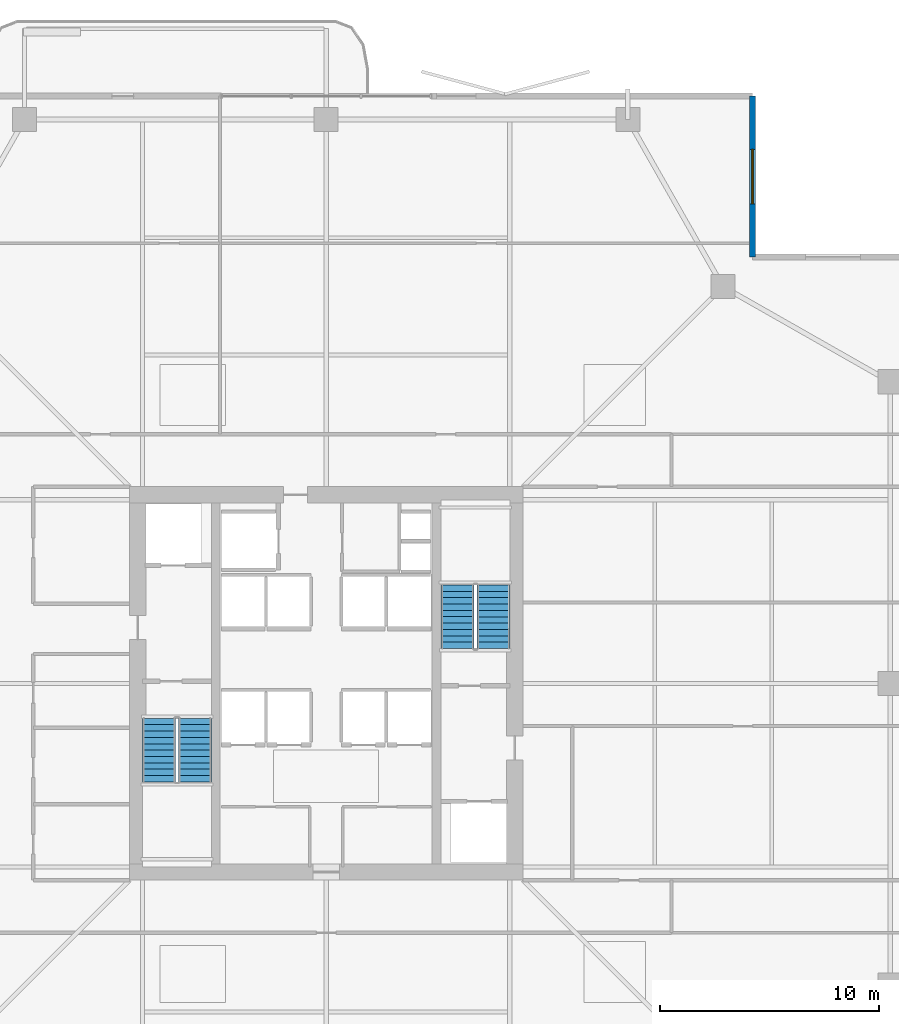
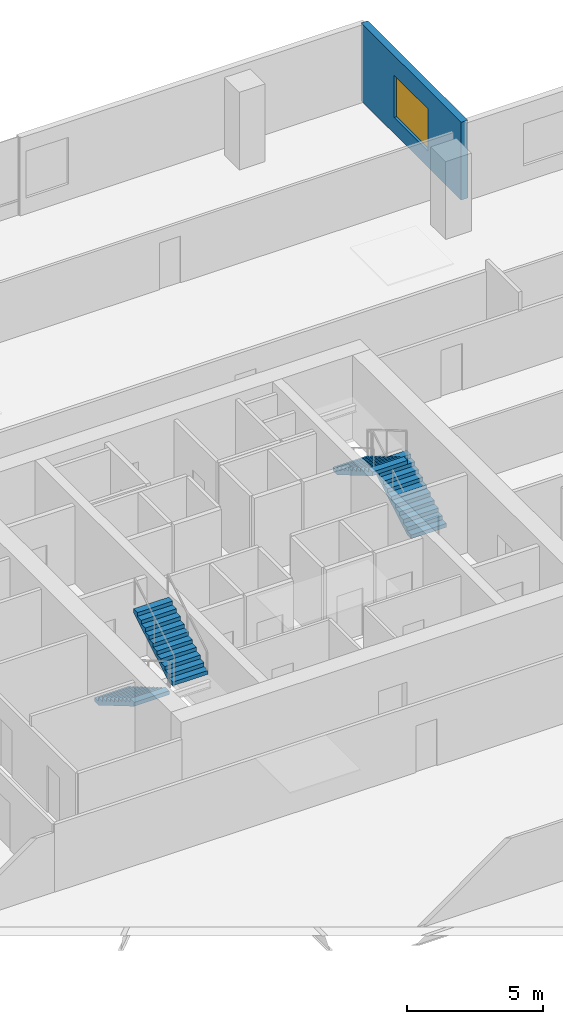
# One storey, part 20 of 24: 4 stair flights, 1 wall, 1 window, 1 opening, 2 elements without a shape of their own.
"""IFC4 building model written with IfcOpenShell, lengths in metres."""

from ifc_helpers import new_model, si_unit, direction, frame, frame_2d, origin, place, context, subcontext, project, spatial, polyline, rectangle, outline, extrude, material, layer, layer_set, type_object, element, fill, aggregate, save


model = new_model("IFC4")

# Units and contexts
model_context = context("Model", 3, precision=1e-05, world=origin(), true_north=direction((0.0, 1.0)))
body_context = subcontext(model_context, "Body", "Model", "MODEL_VIEW")
ifc_project = project(units=[si_unit("LENGTHUNIT", "METRE"), si_unit("AREAUNIT", "SQUARE_METRE"), si_unit("VOLUMEUNIT", "CUBIC_METRE"), si_unit("PLANEANGLEUNIT", "RADIAN"), si_unit("MASSUNIT", "GRAM", prefix="KILO")], contexts=[model_context])

# Site, building, storey
site_placement = place(None, origin())
site = spatial("IfcSite", under=ifc_project, at=site_placement, CompositionType="ELEMENT")
building_placement = place(site_placement, origin())
building = spatial("IfcBuilding", under=site, at=building_placement, Name="Belovzor Exchange Tower", CompositionType="ELEMENT")
storey_placement = place(building_placement, frame((0.0, 0.0, 237.449951171875)))
storey = spatial("IfcBuildingStorey", under=building, at=storey_placement, Name="L59", CompositionType="ELEMENT", Elevation=237.449951171875)

# Wall, opening, window
ifc_material_1 = material(Name="Precast concrete C40/50", Category="concrete")
ifc_layer = layer(ifc_material_1, 0.280029296875)
ifc_layer_set = layer_set([ifc_layer], Name="Precast concrete C40/50")
wall_type = type_object("IfcWallType", Name="Precast Concrete Notched Corner Frame Wall 280", PredefinedType="SOLIDWALL", material=ifc_layer_set)
wall_placement = place(storey_placement, frame((48.300048828125, 55.669921875, 0.0), z_axis=(0.0, 0.0, 1.0), x_axis=(0.0, -1.0, 0.0)))
wall = element("IfcWall", 1, at=wall_placement, inside=storey, type_object=wall_type, Name="W-CRN280 Precast Concrete Notched Corner Frame Wall 280 L59", PredefinedType="SOLIDWALL", context=body_context, shape_type="SweptSolid", body=[
    extrude(rectangle(XDim=7.369873046875, YDim=0.280029296875, at=frame_2d((3.68505859375, 0.0))), origin(), (0.0, 0.0, 1.0), 3.5),
])
opening_placement = place(wall_placement, frame((2.43505859375, 0.0, 0.719970703125)))
opening = element("IfcOpeningElement", 2, at=opening_placement, cuts=wall, Name="Opening WN-CRN250", PredefinedType="OPENING", context=body_context, shape_type="SweptSolid", body=[
    extrude(rectangle(XDim=2.5, YDim=1.89990234375, at=frame_2d((1.25, 0.949951171875))), frame((0.0, 0.14990234375, 0.0), z_axis=(0.0, -1.0, 0.0), x_axis=(1.0, 0.0, 0.0)), (0.0, 0.0, 1.0), 0.300048828125),
])
ifc_material_2 = material(Name="Thermally Broken Aluminium and Triple Glazing", Category="aluminium")
window_type = type_object("IfcWindowType", Name="Streamline Moderne Corner Wrap Ribbon Window 2500x1900", PartitioningType="SINGLE_PANEL", PredefinedType="WINDOW", material=ifc_material_2)
window_placement = place(opening_placement, origin())
window = element("IfcWindow", 3, at=window_placement, inside=storey, type_object=window_type, Name="WN-CRN250 Streamline Moderne Corner Wrap Ribbon Window 2500x1900", OverallHeight=1.89990234375, OverallWidth=2.5, PartitioningType="SINGLE_PANEL", PredefinedType="WINDOW", context=body_context, shape_type="SweptSolid", body=[
    extrude(rectangle(XDim=2.5, YDim=1.89990234375, at=frame_2d((1.25, 0.949951171875))), frame((0.0, 0.030029296875, 0.0), z_axis=(0.0, -1.0, 0.0), x_axis=(1.0, 0.0, 0.0)), (0.0, 0.0, 1.0), 0.06005859375),
])
fill(opening, window)

# Stair, stair flights
ifc_material_3 = material(Name="Concrete C40/50", Category="concrete")
stair_type = type_object("IfcStairType", Name="Reinforced Concrete Dogleg Escape Stair 1350", PredefinedType="HALF_TURN_STAIR", material=ifc_material_3)
stair_1_placement = place(storey_placement, origin())
stair_1 = element("IfcStair", 4, at=stair_1_placement, inside=storey, type_object=stair_type, Name="L59 ST-1", PredefinedType="HALF_TURN_STAIR")
ifc_material_4 = material(Name="Concrete C40/50", Category="concrete")
stair_flight_type = type_object("IfcStairFlightType", Name="Reinforced Concrete Stair Flight 1350", PredefinedType="STRAIGHT", material=ifc_material_4)
stair_flight_1_placement = place(storey_placement, frame((21.14990234375, 27.199951171875, 0.0), z_axis=(0.0, 0.0, 1.0), x_axis=(0.0, -1.0, 0.0)))
stair_flight_1 = element("IfcStairFlight", 5, at=stair_flight_1_placement, type_object=stair_flight_type, Name="ST-1 flight 1", NumberOfRisers=11, NumberOfTreads=10, PredefinedType="STRAIGHT", RiserHeight=0.170454545, TreadLength=0.29, context=body_context, shape_type="SweptSolid", body=[
    extrude(outline(polyline([(0.0, 0.0), (0.0, 0.17041015625), (0.2900390625, 0.17041015625), (0.2900390625, 0.3408203125), (0.580078125, 0.3408203125), (0.580078125, 0.511474609375), (0.8701171875, 0.511474609375), (0.8701171875, 0.681884765625), (1.159912109375, 0.681884765625), (1.159912109375, 0.852294921875), (1.449951171875, 0.852294921875), (1.449951171875, 1.022705078125), (1.739990234375, 1.022705078125), (1.739990234375, 1.193115234375), (2.030029296875, 1.193115234375), (2.030029296875, 1.363525390625), (2.320068359375, 1.363525390625), (2.320068359375, 1.5341796875), (2.610107421875, 1.5341796875), (2.610107421875, 1.70458984375), (2.89990234375, 1.70458984375), (2.89990234375, 1.875), (2.89990234375, 1.53076171875), (0.2958984375, 0.0), (0.0, 0.0)])), frame((0.0, 0.75, 0.0), z_axis=(0.0, -1.0, 0.0), x_axis=(1.0, 0.0, 0.0)), (0.0, 0.0, 1.0), 1.5),
])
stair_flight_2_placement = place(storey_placement, frame((22.800048828125, 24.300048828125, 1.875), z_axis=(0.0, 0.0, 1.0), x_axis=(0.0, 1.0, 0.0)))
stair_flight_2 = element("IfcStairFlight", 6, at=stair_flight_2_placement, type_object=stair_flight_type, Name="ST-1 flight 2", NumberOfRisers=11, NumberOfTreads=10, PredefinedType="STRAIGHT", RiserHeight=0.170454545, TreadLength=0.29, context=body_context, shape_type="SweptSolid", body=[
    extrude(outline(polyline([(0.0, 0.0), (0.0, 0.17041015625), (0.2900390625, 0.17041015625), (0.2900390625, 0.3408203125), (0.580078125, 0.3408203125), (0.580078125, 0.511474609375), (0.8701171875, 0.511474609375), (0.8701171875, 0.681884765625), (1.159912109375, 0.681884765625), (1.159912109375, 0.852294921875), (1.449951171875, 0.852294921875), (1.449951171875, 1.022705078125), (1.739990234375, 1.022705078125), (1.739990234375, 1.193115234375), (2.030029296875, 1.193115234375), (2.030029296875, 1.363525390625), (2.320068359375, 1.363525390625), (2.320068359375, 1.5341796875), (2.610107421875, 1.5341796875), (2.610107421875, 1.70458984375), (2.89990234375, 1.70458984375), (2.89990234375, 1.875), (2.89990234375, 1.53076171875), (0.2958984375, 0.0), (0.0, 0.0)])), frame((0.0, 0.75, 0.0), z_axis=(0.0, -1.0, 0.0), x_axis=(1.0, 0.0, 0.0)), (0.0, 0.0, 1.0), 1.5),
])
aggregate(stair_1, [stair_flight_1, stair_flight_2])

stair_2_placement = place(storey_placement, origin())
stair_2 = element("IfcStair", 7, at=stair_2_placement, inside=storey, type_object=stair_type, Name="L59 ST-2", PredefinedType="HALF_TURN_STAIR")
stair_flight_3_placement = place(storey_placement, frame((36.449951171875, 30.39990234375, 0.0), z_axis=(0.0, 0.0, 1.0), x_axis=(0.0, 1.0, 0.0)))
stair_flight_3 = element("IfcStairFlight", 8, at=stair_flight_3_placement, type_object=stair_flight_type, Name="ST-2 flight 1", NumberOfRisers=11, NumberOfTreads=10, PredefinedType="STRAIGHT", RiserHeight=0.170454545, TreadLength=0.29, context=body_context, shape_type="SweptSolid", body=[
    extrude(outline(polyline([(0.0, 0.0), (0.0, 0.17041015625), (0.2900390625, 0.17041015625), (0.2900390625, 0.3408203125), (0.580078125, 0.3408203125), (0.580078125, 0.511474609375), (0.8701171875, 0.511474609375), (0.8701171875, 0.681884765625), (1.159912109375, 0.681884765625), (1.159912109375, 0.852294921875), (1.449951171875, 0.852294921875), (1.449951171875, 1.022705078125), (1.739990234375, 1.022705078125), (1.739990234375, 1.193115234375), (2.030029296875, 1.193115234375), (2.030029296875, 1.363525390625), (2.320068359375, 1.363525390625), (2.320068359375, 1.5341796875), (2.610107421875, 1.5341796875), (2.610107421875, 1.70458984375), (2.89990234375, 1.70458984375), (2.89990234375, 1.875), (2.89990234375, 1.53076171875), (0.2958984375, 0.0), (0.0, 0.0)])), frame((0.0, 0.75, 0.0), z_axis=(0.0, -1.0, 0.0), x_axis=(1.0, 0.0, 0.0)), (0.0, 0.0, 1.0), 1.5),
])
stair_flight_4_placement = place(storey_placement, frame((34.800048828125, 33.300048828125, 1.875), z_axis=(0.0, 0.0, 1.0), x_axis=(0.0, -1.0, 0.0)))
stair_flight_4 = element("IfcStairFlight", 9, at=stair_flight_4_placement, type_object=stair_flight_type, Name="ST-2 flight 2", NumberOfRisers=11, NumberOfTreads=10, PredefinedType="STRAIGHT", RiserHeight=0.170454545, TreadLength=0.29, context=body_context, shape_type="SweptSolid", body=[
    extrude(outline(polyline([(0.0, 0.0), (0.0, 0.17041015625), (0.2900390625, 0.17041015625), (0.2900390625, 0.3408203125), (0.580078125, 0.3408203125), (0.580078125, 0.511474609375), (0.8701171875, 0.511474609375), (0.8701171875, 0.681884765625), (1.159912109375, 0.681884765625), (1.159912109375, 0.852294921875), (1.449951171875, 0.852294921875), (1.449951171875, 1.022705078125), (1.739990234375, 1.022705078125), (1.739990234375, 1.193115234375), (2.030029296875, 1.193115234375), (2.030029296875, 1.363525390625), (2.320068359375, 1.363525390625), (2.320068359375, 1.5341796875), (2.610107421875, 1.5341796875), (2.610107421875, 1.70458984375), (2.89990234375, 1.70458984375), (2.89990234375, 1.875), (2.89990234375, 1.53076171875), (0.2958984375, 0.0), (0.0, 0.0)])), frame((0.0, 0.75, 0.0), z_axis=(0.0, -1.0, 0.0), x_axis=(1.0, 0.0, 0.0)), (0.0, 0.0, 1.0), 1.5),
])
aggregate(stair_2, [stair_flight_3, stair_flight_4])

save(model, "model.ifc")
